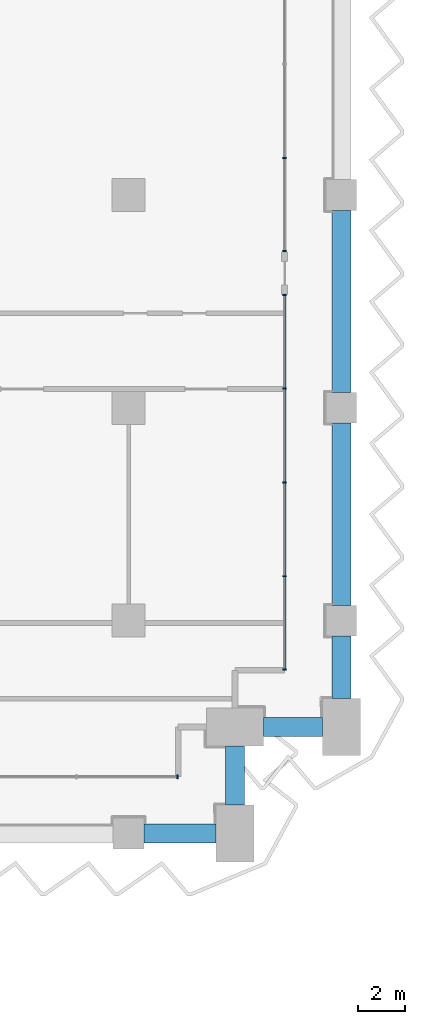
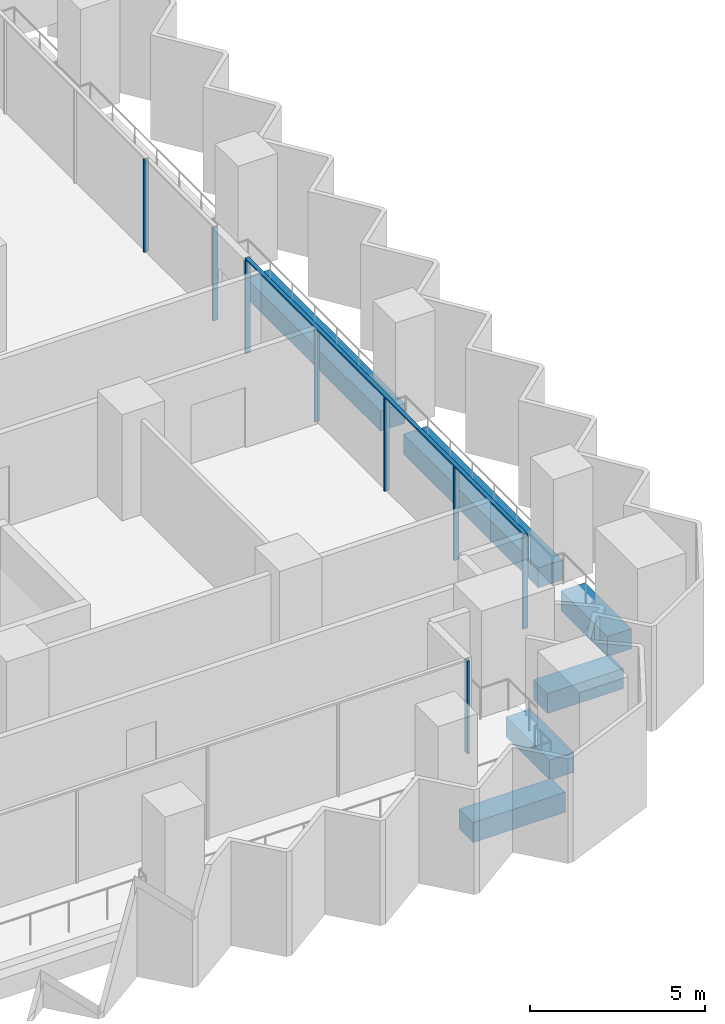
# One storey, part 6 of 29: 9 members, 6 beams, 3 elements without a shape of their own.
"""IFC4 building model written with IfcOpenShell, lengths in metres."""

from ifc_helpers import new_model, si_unit, direction, frame, origin, origin_2d, place, context, subcontext, project, spatial, rectangle, extrude, material, material_profile, profile_set, type_object, element, aggregate, save


model = new_model("IFC4")

# Units and contexts
model_context = context("Model", 3, precision=1e-05, world=origin(), true_north=direction((0.0, 1.0)))
body_context = subcontext(model_context, "Body", "Model", "MODEL_VIEW")
ifc_project = project(units=[si_unit("LENGTHUNIT", "METRE"), si_unit("AREAUNIT", "SQUARE_METRE"), si_unit("VOLUMEUNIT", "CUBIC_METRE"), si_unit("PLANEANGLEUNIT", "RADIAN"), si_unit("MASSUNIT", "GRAM", prefix="KILO")], contexts=[model_context])

# Site, building, storey
site_placement = place(None, origin())
site = spatial("IfcSite", under=ifc_project, at=site_placement, CompositionType="ELEMENT")
building_placement = place(site_placement, origin())
building = spatial("IfcBuilding", under=site, at=building_placement, Name="Hunhe Ridgeline Campus", CompositionType="ELEMENT")
storey_placement = place(building_placement, frame((0.0, 0.0, 54.300048828125)))
storey = spatial("IfcBuildingStorey", under=building, at=storey_placement, Name="L12", CompositionType="ELEMENT", Elevation=54.300048828125)

# Curtain wall, member
ifc_material_1 = material(Name="Aluminium 6063", Category="aluminium")
curtain_wall_type = type_object("IfcCurtainWallType", Name="Curtain wall CW-1", PredefinedType="NOTDEFINED", material=ifc_material_1)
curtain_wall_1_placement = place(storey_placement, origin())
curtain_wall_1 = element("IfcCurtainWall", 1, at=curtain_wall_1_placement, inside=storey, type_object=curtain_wall_type, Name="Curtain wall 13", PredefinedType="NOTDEFINED")
ifc_material_profile_1 = material_profile(ifc_material_1, rectangle(XDim=0.159912109375, YDim=0.06005859375, at=origin_2d()))
ifc_profile_set_1 = profile_set([ifc_material_profile_1], Name="Aluminium 6063")
member_type_1 = type_object("IfcMemberType", Name="CW-1 aluminium mullion", PredefinedType="MULLION", material=ifc_profile_set_1)
member_1_placement = place(storey_placement, frame((92.069091796875, 56.40087890625, 0.0), z_axis=(0.0, 0.0, 1.0), x_axis=(-3.602063e-06, 0.999999999994, 0.0)))
member_1 = element("IfcMember", 2, at=member_1_placement, type_object=member_type_1, Name="CW-1 mullion 9", PredefinedType="MULLION", context=body_context, shape_type="SweptSolid", body=[
    extrude(rectangle(XDim=0.159912109375, YDim=0.06005859375, at=origin_2d()), origin(), (0.0, 0.0, 1.0), 3.239990234375),
])
aggregate(curtain_wall_1, [member_1])

# Curtain wall, members
curtain_wall_2_placement = place(storey_placement, origin())
curtain_wall_2 = element("IfcCurtainWall", 3, at=curtain_wall_2_placement, inside=storey, type_object=curtain_wall_type, Name="Curtain wall 14", PredefinedType="NOTDEFINED")
member_2_placement = place(storey_placement, frame((96.59912109375, 60.930908203125, 0.0), z_axis=(0.0, 0.0, 1.0), x_axis=(-1.0, 0.0, 0.0)))
member_2 = element("IfcMember", 4, at=member_2_placement, type_object=member_type_1, Name="CW-1 mullion 1", PredefinedType="MULLION", context=body_context, shape_type="SweptSolid", body=[
    extrude(rectangle(XDim=0.159912109375, YDim=0.06005859375, at=origin_2d()), origin(), (0.0, 0.0, 1.0), 3.239990234375),
])
member_3_placement = place(storey_placement, frame((96.59912109375, 64.8759765625, 0.0), z_axis=(0.0, 0.0, 1.0), x_axis=(-1.0, 0.0, 0.0)))
member_3 = element("IfcMember", 5, at=member_3_placement, type_object=member_type_1, Name="CW-1 mullion 2", PredefinedType="MULLION", context=body_context, shape_type="SweptSolid", body=[
    extrude(rectangle(XDim=0.159912109375, YDim=0.06005859375, at=origin_2d()), origin(), (0.0, 0.0, 1.0), 3.239990234375),
])
member_4_placement = place(storey_placement, frame((96.59912109375, 68.850830078125, 0.0), z_axis=(0.0, 0.0, 1.0), x_axis=(-1.0, 0.0, 0.0)))
member_4 = element("IfcMember", 6, at=member_4_placement, type_object=member_type_1, Name="CW-1 mullion 3", PredefinedType="MULLION", context=body_context, shape_type="SweptSolid", body=[
    extrude(rectangle(XDim=0.159912109375, YDim=0.06005859375, at=origin_2d()), origin(), (0.0, 0.0, 1.0), 3.239990234375),
])
member_5_placement = place(storey_placement, frame((96.59912109375, 72.82568359375, 0.0), z_axis=(0.0, 0.0, 1.0), x_axis=(-1.0, 0.0, 0.0)))
member_5 = element("IfcMember", 7, at=member_5_placement, type_object=member_type_1, Name="CW-1 mullion 4", PredefinedType="MULLION", context=body_context, shape_type="SweptSolid", body=[
    extrude(rectangle(XDim=0.159912109375, YDim=0.06005859375, at=origin_2d()), origin(), (0.0, 0.0, 1.0), 3.239990234375),
])
member_6_placement = place(storey_placement, frame((96.59912109375, 76.7705078125, 0.0), z_axis=(0.0, 0.0, 1.0), x_axis=(-1.0, 0.0, 0.0)))
member_6 = element("IfcMember", 8, at=member_6_placement, type_object=member_type_1, Name="CW-1 mullion 5", PredefinedType="MULLION", context=body_context, shape_type="SweptSolid", body=[
    extrude(rectangle(XDim=0.159912109375, YDim=0.06005859375, at=origin_2d()), origin(), (0.0, 0.0, 1.0), 3.239990234375),
])

curtain_wall_3_placement = place(storey_placement, origin())
curtain_wall_3 = element("IfcCurtainWall", 9, at=curtain_wall_3_placement, inside=storey, type_object=curtain_wall_type, Name="Curtain wall 15", PredefinedType="NOTDEFINED")
member_7_placement = place(storey_placement, frame((96.59912109375, 78.630615234375, 0.0), z_axis=(0.0, 0.0, 1.0), x_axis=(-1.0, 0.0, 0.0)))
member_7 = element("IfcMember", 10, at=member_7_placement, type_object=member_type_1, Name="CW-1 mullion 1", PredefinedType="MULLION", context=body_context, shape_type="SweptSolid", body=[
    extrude(rectangle(XDim=0.159912109375, YDim=0.06005859375, at=origin_2d()), origin(), (0.0, 0.0, 1.0), 3.239990234375),
])
member_8_placement = place(storey_placement, frame((96.59912109375, 82.575439453125, 0.0), z_axis=(0.0, 0.0, 1.0), x_axis=(-1.0, 0.0, 0.0)))
member_8 = element("IfcMember", 11, at=member_8_placement, type_object=member_type_1, Name="CW-1 mullion 2", PredefinedType="MULLION", context=body_context, shape_type="SweptSolid", body=[
    extrude(rectangle(XDim=0.159912109375, YDim=0.06005859375, at=origin_2d()), origin(), (0.0, 0.0, 1.0), 3.239990234375),
])
aggregate(curtain_wall_3, [member_7, member_8])

# Member
ifc_material_profile_2 = material_profile(ifc_material_1, rectangle(XDim=0.1201171875, YDim=0.06005859375, at=origin_2d()))
ifc_profile_set_2 = profile_set([ifc_material_profile_2], Name="Aluminium 6063")
member_type_2 = type_object("IfcMemberType", Name="CW-1 aluminium transom", PredefinedType="USERDEFINED", material=ifc_profile_set_2)
member_9_placement = place(storey_placement, frame((96.59912109375, 60.90087890625, 3.27001953125), z_axis=(0.0, 1.0, 0.0), x_axis=(-1.0, 0.0, 0.0)))
member_9 = element("IfcMember", 12, at=member_9_placement, type_object=member_type_2, Name="CW-1 transom 1", ObjectType="TRANSOM", PredefinedType="USERDEFINED", context=body_context, shape_type="SweptSolid", body=[
    extrude(rectangle(XDim=0.1201171875, YDim=0.06005859375, at=origin_2d()), origin(), (0.0, 0.0, 1.0), 15.899658203125),
])

aggregate(curtain_wall_2, [member_9, member_2, member_3, member_4, member_5, member_6])

# Beams
ifc_material_2 = material(Name="Concrete C60", Category="concrete")
ifc_material_profile_3 = material_profile(ifc_material_2, rectangle(XDim=0.800048828125, YDim=0.699951171875, at=origin_2d()))
ifc_profile_set_3 = profile_set([ifc_material_profile_3], Name="Concrete C60")
beam_type = type_object("IfcBeamType", Name="RC spandrel beam 800x700 Concrete C60", PredefinedType="SPANDREL", material=ifc_profile_set_3)
beam_1_placement = place(storey_placement, frame((90.64990234375, 54.0, -0.60009765625), z_axis=(1.0, 0.0, 0.0), x_axis=(0.0, 1.0, 0.0)))
element("IfcBeam", 13, at=beam_1_placement, inside=storey, type_object=beam_type, Name="Spandrel beam B1-17 L12", PredefinedType="SPANDREL", context=body_context, shape_type="SweptSolid", body=[
    extrude(rectangle(XDim=0.800048828125, YDim=0.699951171875, at=origin_2d()), origin(), (0.0, 0.0, 1.0), 3.050048828125),
])
for number, where, z_axis, x_axis, name in (
    (14, (94.5, 55.199951171875, -0.60009765625), (0.0, 1.0, 0.0), (-1.0, 0.0, 0.0), "Spandrel beam B1-18 L12"),
    (15, (95.699951171875, 58.5, -0.60009765625), (1.0, 0.0, 0.0), (0.0, 1.0, 0.0), "Spandrel beam B1-19 L12"),
):
    element("IfcBeam", number, at=place(storey_placement, frame(where, z_axis=z_axis, x_axis=x_axis)), inside=storey, type_object=beam_type, Name=name, PredefinedType="SPANDREL", context=body_context, shape_type="SweptSolid", body=[
        extrude(rectangle(XDim=0.800048828125, YDim=0.699951171875, at=origin_2d()), origin(), (0.0, 0.0, 1.0), 2.5),
    ])
beam_2_placement = place(storey_placement, frame((99.0, 59.699951171875, -0.60009765625), z_axis=(0.0, 1.0, 0.0), x_axis=(-1.0, 0.0, 0.0)))
element("IfcBeam", 16, at=beam_2_placement, inside=storey, type_object=beam_type, Name="Spandrel beam B1-20 L12", PredefinedType="SPANDREL", context=body_context, shape_type="SweptSolid", body=[
    extrude(rectangle(XDim=0.800048828125, YDim=0.699951171875, at=origin_2d()), origin(), (0.0, 0.0, 1.0), 2.650146484375),
])
for number, where, z_axis, x_axis, name in (
    (17, (99.0, 63.64990234375, -0.60009765625), (0.0, 1.0, 0.0), (-1.0, 0.0, 0.0), "Spandrel beam B1-21 L12"),
    (18, (99.0, 72.64990234375, -0.60009765625), (0.0, 1.0, 0.0), (-1.0, 0.0, 0.0), "Spandrel beam B1-22 L12"),
):
    element("IfcBeam", number, at=place(storey_placement, frame(where, z_axis=z_axis, x_axis=x_axis)), inside=storey, type_object=beam_type, Name=name, PredefinedType="SPANDREL", context=body_context, shape_type="SweptSolid", body=[
        extrude(rectangle(XDim=0.800048828125, YDim=0.699951171875, at=origin_2d()), origin(), (0.0, 0.0, 1.0), 7.7001953125),
    ])

save(model, "model.ifc")
